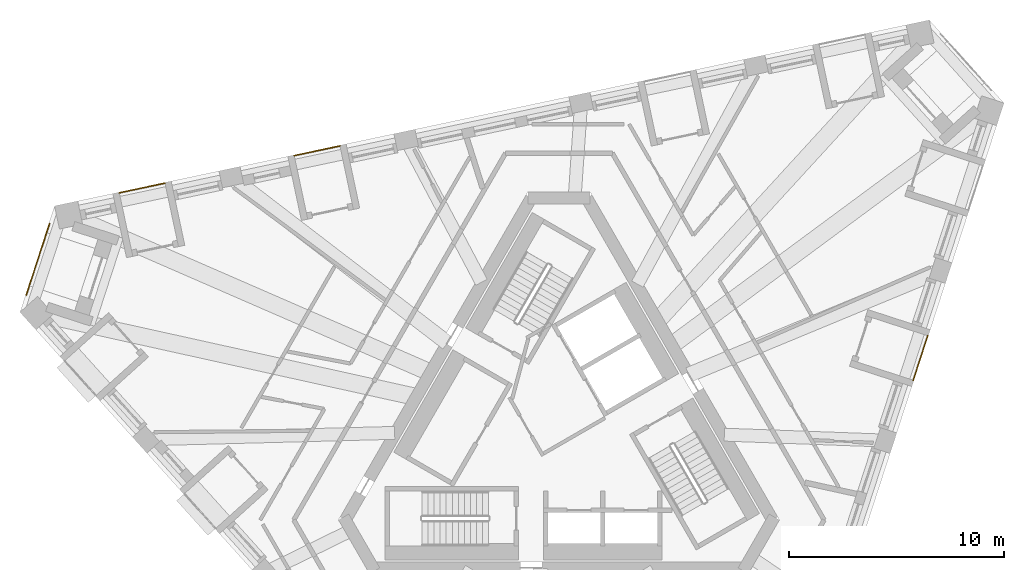
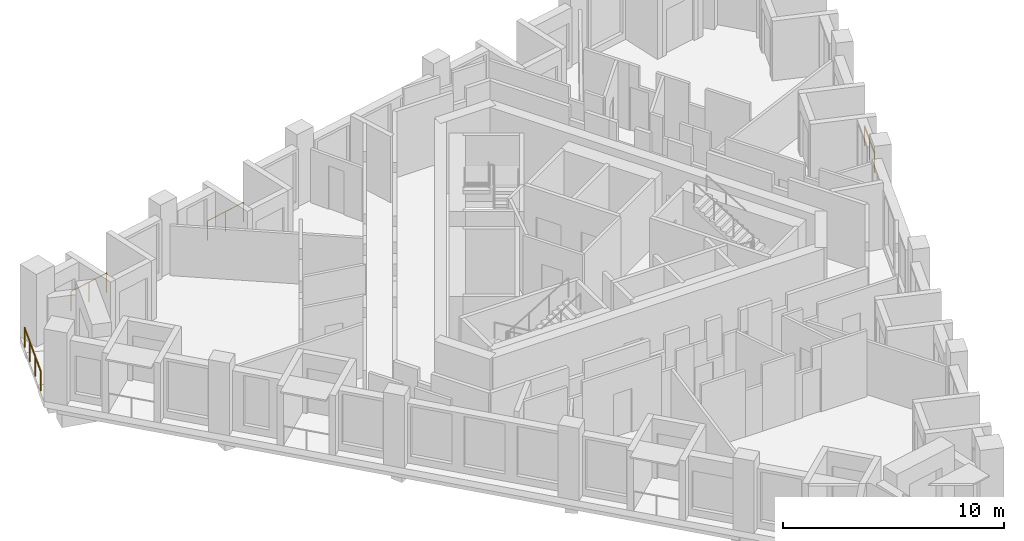
# One storey, part 12 of 13: 4 railings.
"""IFC4 building model written with IfcOpenShell, lengths in metres."""

from ifc_helpers import new_model, si_unit, direction, frame, origin, origin_2d, place, context, subcontext, project, spatial, circle, extrude, material, type_object, element, save


model = new_model("IFC4")

# Units and contexts
model_context = context("Model", 3, precision=1e-05, world=origin(), true_north=direction((0.0, 1.0)))
body_context = subcontext(model_context, "Body", "Model", "MODEL_VIEW")
ifc_project = project(units=[si_unit("LENGTHUNIT", "METRE"), si_unit("AREAUNIT", "SQUARE_METRE"), si_unit("VOLUMEUNIT", "CUBIC_METRE"), si_unit("PLANEANGLEUNIT", "RADIAN"), si_unit("MASSUNIT", "GRAM", prefix="KILO")], contexts=[model_context])

# Site, building, storey
site_placement = place(None, origin())
site = spatial("IfcSite", under=ifc_project, at=site_placement, CompositionType="ELEMENT")
building_placement = place(site_placement, origin())
building = spatial("IfcBuilding", under=site, at=building_placement, Name="Tramontana Tower", CompositionType="ELEMENT")
storey_placement = place(building_placement, frame((0.0, 0.0, 328.39990234375)))
storey = spatial("IfcBuildingStorey", under=building, at=storey_placement, Name="L75", CompositionType="ELEMENT", Elevation=328.39990234375)

# Railings
ifc_material = material(Name="Laminated glass balustrade", Category="glass")
railing_type = type_object("IfcRailingType", Name="GD1 Loggia glass balustrade 1100", PredefinedType="BALUSTRADE", material=ifc_material)
railing_1_placement = place(storey_placement, frame((16.470947265625, 2.24853515625, 0.0)))
element("IfcRailing", 1, at=railing_1_placement, inside=storey, type_object=railing_type, Name="Loggia balustrade L75 G8S1.10", PredefinedType="BALUSTRADE", context=body_context, shape_type="SweptSolid", body=[
    extrude(circle(Radius=0.02392578125, at=origin_2d()), frame((0.0, 0.0, 1.076171875), z_axis=(0.308999623589, 0.95106216023, 0.0), x_axis=(-0.95106216023, 0.308999623589, 0.0)), (0.0, 0.0, 1.0), 2.171142578125),
    extrude(circle(Radius=0.02099609375, at=origin_2d()), origin(), (0.0, 0.0, 1.0), 1.052001953125),
    extrude(circle(Radius=0.02099609375, at=origin_2d()), frame((0.33544921875, 1.032470703125, 0.0)), (0.0, 0.0, 1.0), 1.052001953125),
    extrude(circle(Radius=0.02099609375, at=origin_2d()), frame((0.6708984375, 2.06494140625, 0.0)), (0.0, 0.0, 1.0), 1.052001953125),
])
railing_2_placement = place(storey_placement, frame((-10.1826171875, 13.14013671875, 0.0)))
element("IfcRailing", 2, at=railing_2_placement, inside=storey, type_object=railing_type, Name="Loggia balustrade L75 G8S2.10", PredefinedType="BALUSTRADE", context=body_context, shape_type="SweptSolid", body=[
    extrude(circle(Radius=0.02392578125, at=origin_2d()), frame((0.0, 0.0, 1.076171875), z_axis=(-0.978153135692, -0.207885649183, 0.0), x_axis=(0.207885649183, -0.978153135692, 0.0)), (0.0, 0.0, 1.0), 2.17138671875),
    extrude(circle(Radius=0.02099609375, at=origin_2d()), origin(), (0.0, 0.0, 1.0), 1.052001953125),
    extrude(circle(Radius=0.02099609375, at=origin_2d()), frame((-1.06201171875, -0.2255859375, 0.0)), (0.0, 0.0, 1.0), 1.052001953125),
    extrude(circle(Radius=0.02099609375, at=origin_2d()), frame((-2.1240234375, -0.451416015625, 0.0)), (0.0, 0.0, 1.0), 1.052001953125),
])
railing_3_placement = place(storey_placement, frame((-18.31494140625, 11.411376953125, 0.0)))
element("IfcRailing", 3, at=railing_3_placement, inside=storey, type_object=railing_type, Name="Loggia balustrade L75 G8S2.13", PredefinedType="BALUSTRADE", context=body_context, shape_type="SweptSolid", body=[
    extrude(circle(Radius=0.02392578125, at=origin_2d()), frame((0.0, 0.0, 1.076171875), z_axis=(-0.978148276005, -0.207908513891, 0.0), x_axis=(0.207908513891, -0.978148276005, 0.0)), (0.0, 0.0, 1.0), 2.171142578125),
    extrude(circle(Radius=0.02099609375, at=origin_2d()), origin(), (0.0, 0.0, 1.0), 1.052001953125),
    extrude(circle(Radius=0.02099609375, at=origin_2d()), frame((-1.06201171875, -0.2255859375, 0.0)), (0.0, 0.0, 1.0), 1.052001953125),
    extrude(circle(Radius=0.02099609375, at=origin_2d()), frame((-2.123779296875, -0.451416015625, 0.0)), (0.0, 0.0, 1.0), 1.052001953125),
])
railing_4_placement = place(storey_placement, frame((-24.76416015625, 6.206298828125, 0.0)))
element("IfcRailing", 4, at=railing_4_placement, inside=storey, type_object=railing_type, Name="Corner loggia balustrade L75 K80", PredefinedType="BALUSTRADE", context=body_context, shape_type="SweptSolid", body=[
    extrude(circle(Radius=0.02392578125, at=origin_2d()), frame((0.0, 0.0, 1.076171875), z_axis=(0.309019824916, 0.951055596592, 0.0), x_axis=(-0.951055596592, 0.309019824916, 0.0)), (0.0, 0.0, 1.0), 3.5),
    extrude(circle(Radius=0.02099609375, at=origin_2d()), origin(), (0.0, 0.0, 1.0), 1.052001953125),
    extrude(circle(Radius=0.02099609375, at=origin_2d()), frame((0.360595703125, 1.109619140625, 0.0)), (0.0, 0.0, 1.0), 1.052001953125),
    extrude(circle(Radius=0.02099609375, at=origin_2d()), frame((0.720947265625, 2.218994140625, 0.0)), (0.0, 0.0, 1.0), 1.052001953125),
    extrude(circle(Radius=0.02099609375, at=origin_2d()), frame((1.08154296875, 3.32861328125, 0.0)), (0.0, 0.0, 1.0), 1.052001953125),
])

save(model, "model.ifc")
